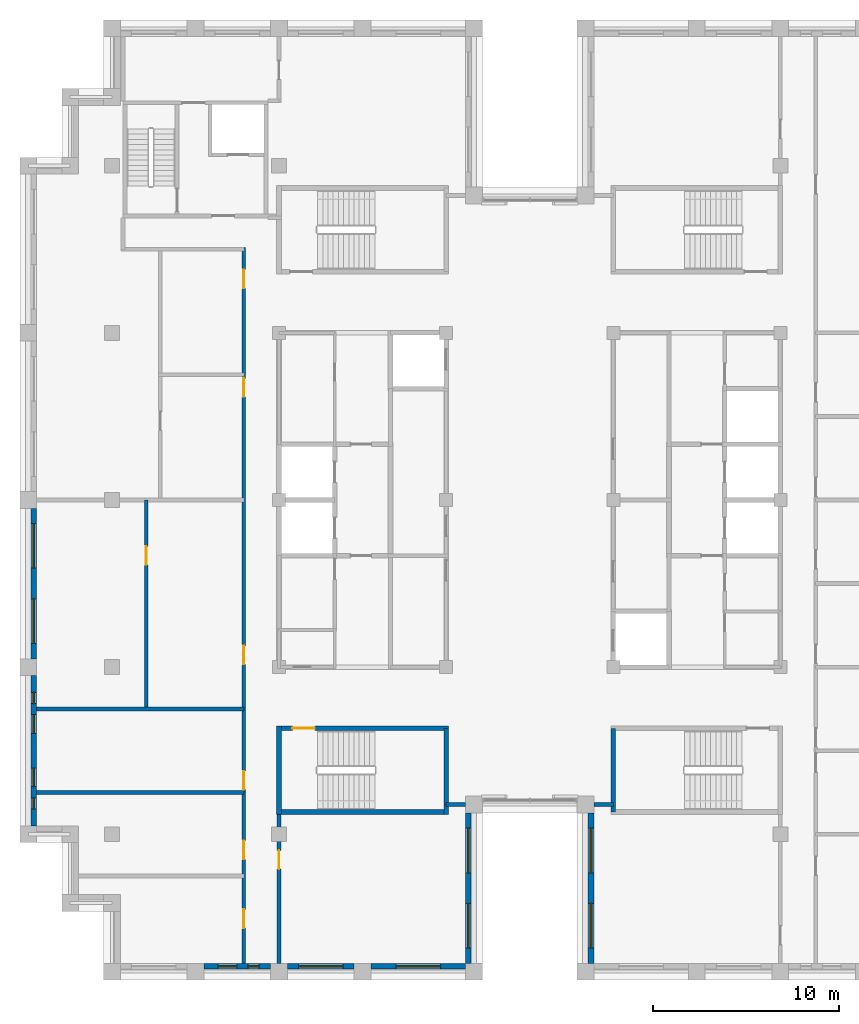
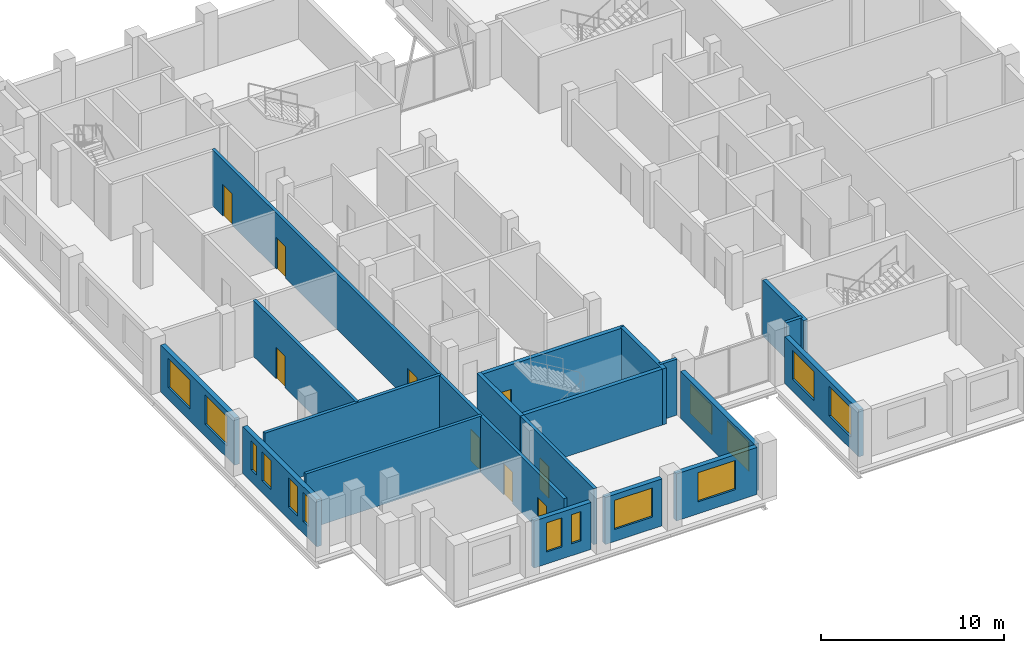
# One storey, part 6 of 13: 19 walls, 14 windows, 9 doors, 23 openings.
"""IFC4 building model written with IfcOpenShell, lengths in metres."""

from ifc_helpers import new_model, si_unit, direction, frame, frame_2d, origin, place, context, subcontext, project, spatial, rectangle, extrude, material, layer, layer_set, type_object, element, fill, save


model = new_model("IFC4")

# Units and contexts
model_context = context("Model", 3, precision=1e-05, world=origin(), true_north=direction((0.0, 1.0)))
body_context = subcontext(model_context, "Body", "Model", "MODEL_VIEW")
ifc_project = project(units=[si_unit("LENGTHUNIT", "METRE"), si_unit("AREAUNIT", "SQUARE_METRE"), si_unit("VOLUMEUNIT", "CUBIC_METRE"), si_unit("PLANEANGLEUNIT", "RADIAN"), si_unit("MASSUNIT", "GRAM", prefix="KILO")], contexts=[model_context])

# Site, building, storey
site_placement = place(None, origin())
site = spatial("IfcSite", under=ifc_project, at=site_placement, CompositionType="ELEMENT")
building_placement = place(site_placement, origin())
building = spatial("IfcBuilding", under=site, at=building_placement, Name="Corbelhall Arena Tower", CompositionType="ELEMENT")
storey_placement = place(building_placement, frame((0.0, 0.0, 342.0)))
storey = spatial("IfcBuildingStorey", under=building, at=storey_placement, Name="L75", CompositionType="ELEMENT", Elevation=342.0)

# Wall, openings, windows
ifc_material_1 = material(Name="Precast concrete C40/50 with granite facing", Category="masonry")
ifc_layer_1 = layer(ifc_material_1, 0.300048828125)
ifc_layer_set_1 = layer_set([ifc_layer_1], Name="EV-IW1 Infill panel 300")
wall_type_1 = type_object("IfcWallType", Name="EV-IW1 Infill panel 300", PredefinedType="SOLIDWALL", material=ifc_layer_set_1)
wall_1_placement = place(storey_placement, frame((-26.699951171875, -0.449951171875, 0.0), z_axis=(0.0, 0.0, 1.0), x_axis=(0.0, -1.0, 0.0)))
wall_1 = element("IfcWall", 1, at=wall_1_placement, inside=storey, type_object=wall_type_1, Name="Infill panel IW1", PredefinedType="SOLIDWALL", context=body_context, shape_type="SweptSolid", body=[
    extrude(rectangle(XDim=8.10009765625, YDim=0.300048828125, at=frame_2d((4.050048828125, 0.0))), origin(), (0.0, 0.0, 1.0), 3.139892578125),
])
opening_1_placement = place(wall_1_placement, frame((0.824951171875, 0.0, 0.800048828125)))
opening_1 = element("IfcOpeningElement", 2, at=opening_1_placement, cuts=wall_1, Name="Opening WN1", PredefinedType="OPENING", context=body_context, shape_type="SweptSolid", body=[
    extrude(rectangle(XDim=2.39990234375, YDim=1.949951171875, at=frame_2d((1.199951171875, 0.97509765625))), frame((0.0, 0.14990234375, 0.0), z_axis=(0.0, -1.0, 0.0), x_axis=(1.0, 0.0, 0.0)), (0.0, 0.0, 1.0), 0.300048828125),
])
opening_2_placement = place(wall_1_placement, frame((4.875, 0.0, 0.800048828125)))
opening_2 = element("IfcOpeningElement", 3, at=opening_2_placement, cuts=wall_1, Name="Opening WN1", PredefinedType="OPENING", context=body_context, shape_type="SweptSolid", body=[
    extrude(rectangle(XDim=2.39990234375, YDim=1.949951171875, at=frame_2d((1.199951171875, 0.97509765625))), frame((0.0, 0.14990234375, 0.0), z_axis=(0.0, -1.0, 0.0), x_axis=(1.0, 0.0, 0.0)), (0.0, 0.0, 1.0), 0.300048828125),
])
ifc_material_2 = material(Name="Aluminium black anodised", Category="aluminium")
window_type_1 = type_object("IfcWindowType", Name="EV-WN1 Office window", PartitioningType="SINGLE_PANEL", PredefinedType="WINDOW", material=ifc_material_2)
window_1_placement = place(opening_1_placement, origin())
window_1 = element("IfcWindow", 4, at=window_1_placement, inside=storey, type_object=window_type_1, Name="Window WN1", OverallHeight=1.949951171875, OverallWidth=2.39990234375, PartitioningType="SINGLE_PANEL", PredefinedType="WINDOW", context=body_context, shape_type="SweptSolid", body=[
    extrude(rectangle(XDim=2.39990234375, YDim=1.949951171875, at=frame_2d((1.199951171875, 0.97509765625))), frame((0.0, 0.030029296875, 0.0), z_axis=(0.0, -1.0, 0.0), x_axis=(1.0, 0.0, 0.0)), (0.0, 0.0, 1.0), 0.06005859375),
])
fill(opening_1, window_1)
window_2_placement = place(opening_2_placement, origin())
window_2 = element("IfcWindow", 5, at=window_2_placement, inside=storey, type_object=window_type_1, Name="Window WN1", OverallHeight=1.949951171875, OverallWidth=2.39990234375, PartitioningType="SINGLE_PANEL", PredefinedType="WINDOW", context=body_context, shape_type="SweptSolid", body=[
    extrude(rectangle(XDim=2.39990234375, YDim=1.949951171875, at=frame_2d((1.199951171875, 0.97509765625))), frame((0.0, 0.030029296875, 0.0), z_axis=(0.0, -1.0, 0.0), x_axis=(1.0, 0.0, 0.0)), (0.0, 0.0, 1.0), 0.06005859375),
])
fill(opening_2, window_2)

wall_2_placement = place(storey_placement, frame((-26.699951171875, -9.449951171875, 0.0), z_axis=(0.0, 0.0, 1.0), x_axis=(0.0, -1.0, 0.0)))
wall_2 = element("IfcWall", 6, at=wall_2_placement, inside=storey, type_object=wall_type_1, Name="Infill panel IW1", PredefinedType="SOLIDWALL", context=body_context, shape_type="SweptSolid", body=[
    extrude(rectangle(XDim=8.10009765625, YDim=0.300048828125, at=frame_2d((4.050048828125, 0.0))), origin(), (0.0, 0.0, 1.0), 3.139892578125),
])
opening_3_placement = place(wall_2_placement, frame((0.91259765625, 0.0, 0.800048828125)))
opening_3 = element("IfcOpeningElement", 7, at=opening_3_placement, cuts=wall_2, Name="Opening WN5", PredefinedType="OPENING", context=body_context, shape_type="SweptSolid", body=[
    extrude(rectangle(XDim=0.60009765625, YDim=1.949951171875, at=frame_2d((0.300048828125, 0.97509765625))), frame((0.0, 0.14990234375, 0.0), z_axis=(0.0, -1.0, 0.0), x_axis=(1.0, 0.0, 0.0)), (0.0, 0.0, 1.0), 0.300048828125),
])
opening_4_placement = place(wall_2_placement, frame((2.112548828125, 0.0, 0.800048828125)))
opening_4 = element("IfcOpeningElement", 8, at=opening_4_placement, cuts=wall_2, Name="Opening WN6", PredefinedType="OPENING", context=body_context, shape_type="SweptSolid", body=[
    extrude(rectangle(XDim=1.0, YDim=1.949951171875, at=frame_2d((0.5, 0.97509765625))), frame((0.0, 0.14990234375, 0.0), z_axis=(0.0, -1.0, 0.0), x_axis=(1.0, 0.0, 0.0)), (0.0, 0.0, 1.0), 0.300048828125),
])
opening_5_placement = place(wall_2_placement, frame((4.987548828125, 0.0, 0.800048828125)))
opening_5 = element("IfcOpeningElement", 9, at=opening_5_placement, cuts=wall_2, Name="Opening WN6", PredefinedType="OPENING", context=body_context, shape_type="SweptSolid", body=[
    extrude(rectangle(XDim=1.0, YDim=1.949951171875, at=frame_2d((0.5, 0.97509765625))), frame((0.0, 0.14990234375, 0.0), z_axis=(0.0, -1.0, 0.0), x_axis=(1.0, 0.0, 0.0)), (0.0, 0.0, 1.0), 0.300048828125),
])
opening_6_placement = place(wall_2_placement, frame((6.58740234375, 0.0, 0.800048828125)))
opening_6 = element("IfcOpeningElement", 10, at=opening_6_placement, cuts=wall_2, Name="Opening WN5", PredefinedType="OPENING", context=body_context, shape_type="SweptSolid", body=[
    extrude(rectangle(XDim=0.60009765625, YDim=1.949951171875, at=frame_2d((0.300048828125, 0.97509765625))), frame((0.0, 0.14990234375, 0.0), z_axis=(0.0, -1.0, 0.0), x_axis=(1.0, 0.0, 0.0)), (0.0, 0.0, 1.0), 0.300048828125),
])
window_type_2 = type_object("IfcWindowType", Name="EV-WN5 Office window 600", PartitioningType="SINGLE_PANEL", PredefinedType="WINDOW", material=ifc_material_2)
window_3_placement = place(opening_3_placement, origin())
window_3 = element("IfcWindow", 11, at=window_3_placement, inside=storey, type_object=window_type_2, Name="Window WN5", OverallHeight=1.949951171875, OverallWidth=0.60009765625, PartitioningType="SINGLE_PANEL", PredefinedType="WINDOW", context=body_context, shape_type="SweptSolid", body=[
    extrude(rectangle(XDim=0.60009765625, YDim=1.949951171875, at=frame_2d((0.300048828125, 0.97509765625))), frame((0.0, 0.030029296875, 0.0), z_axis=(0.0, -1.0, 0.0), x_axis=(1.0, 0.0, 0.0)), (0.0, 0.0, 1.0), 0.06005859375),
])
fill(opening_3, window_3)
window_4_placement = place(opening_6_placement, origin())
window_4 = element("IfcWindow", 12, at=window_4_placement, inside=storey, type_object=window_type_2, Name="Window WN5", OverallHeight=1.949951171875, OverallWidth=0.60009765625, PartitioningType="SINGLE_PANEL", PredefinedType="WINDOW", context=body_context, shape_type="SweptSolid", body=[
    extrude(rectangle(XDim=0.60009765625, YDim=1.949951171875, at=frame_2d((0.300048828125, 0.97509765625))), frame((0.0, 0.030029296875, 0.0), z_axis=(0.0, -1.0, 0.0), x_axis=(1.0, 0.0, 0.0)), (0.0, 0.0, 1.0), 0.06005859375),
])
fill(opening_6, window_4)
window_type_3 = type_object("IfcWindowType", Name="EV-WN6 Office window 1000", PartitioningType="SINGLE_PANEL", PredefinedType="WINDOW", material=ifc_material_2)
window_5_placement = place(opening_4_placement, origin())
window_5 = element("IfcWindow", 13, at=window_5_placement, inside=storey, type_object=window_type_3, Name="Window WN6", OverallHeight=1.949951171875, OverallWidth=1.0, PartitioningType="SINGLE_PANEL", PredefinedType="WINDOW", context=body_context, shape_type="SweptSolid", body=[
    extrude(rectangle(XDim=1.0, YDim=1.949951171875, at=frame_2d((0.5, 0.97509765625))), frame((0.0, 0.030029296875, 0.0), z_axis=(0.0, -1.0, 0.0), x_axis=(1.0, 0.0, 0.0)), (0.0, 0.0, 1.0), 0.06005859375),
])
fill(opening_4, window_5)
window_6_placement = place(opening_5_placement, origin())
window_6 = element("IfcWindow", 14, at=window_6_placement, inside=storey, type_object=window_type_3, Name="Window WN6", OverallHeight=1.949951171875, OverallWidth=1.0, PartitioningType="SINGLE_PANEL", PredefinedType="WINDOW", context=body_context, shape_type="SweptSolid", body=[
    extrude(rectangle(XDim=1.0, YDim=1.949951171875, at=frame_2d((0.5, 0.97509765625))), frame((0.0, 0.030029296875, 0.0), z_axis=(0.0, -1.0, 0.0), x_axis=(1.0, 0.0, 0.0)), (0.0, 0.0, 1.0), 0.06005859375),
])
fill(opening_5, window_6)

wall_3_placement = place(storey_placement, frame((-17.550048828125, -25.10009765625, 0.0), z_axis=(0.0, 0.0, 1.0), x_axis=(1.0, 0.0, 0.0)))
wall_3 = element("IfcWall", 15, at=wall_3_placement, inside=storey, type_object=wall_type_1, Name="Infill panel IW1", PredefinedType="SOLIDWALL", context=body_context, shape_type="SweptSolid", body=[
    extrude(rectangle(XDim=3.60009765625, YDim=0.300048828125, at=frame_2d((1.800048828125, 0.0))), origin(), (0.0, 0.0, 1.0), 3.139892578125),
])
opening_7_placement = place(wall_3_placement, frame((0.77490234375, 0.0, 0.800048828125)))
opening_7 = element("IfcOpeningElement", 16, at=opening_7_placement, cuts=wall_3, Name="Opening WN6", PredefinedType="OPENING", context=body_context, shape_type="SweptSolid", body=[
    extrude(rectangle(XDim=1.0, YDim=1.949951171875, at=frame_2d((0.5, 0.97509765625))), frame((0.0, 0.14990234375, 0.0), z_axis=(0.0, -1.0, 0.0), x_axis=(1.0, 0.0, 0.0)), (0.0, 0.0, 1.0), 0.300048828125),
])
opening_8_placement = place(wall_3_placement, frame((2.375, 0.0, 0.800048828125)))
opening_8 = element("IfcOpeningElement", 17, at=opening_8_placement, cuts=wall_3, Name="Opening WN5", PredefinedType="OPENING", context=body_context, shape_type="SweptSolid", body=[
    extrude(rectangle(XDim=0.60009765625, YDim=1.949951171875, at=frame_2d((0.300048828125, 0.97509765625))), frame((0.0, 0.14990234375, 0.0), z_axis=(0.0, -1.0, 0.0), x_axis=(1.0, 0.0, 0.0)), (0.0, 0.0, 1.0), 0.300048828125),
])
window_7_placement = place(opening_8_placement, origin())
window_7 = element("IfcWindow", 18, at=window_7_placement, inside=storey, type_object=window_type_2, Name="Window WN5", OverallHeight=1.949951171875, OverallWidth=0.60009765625, PartitioningType="SINGLE_PANEL", PredefinedType="WINDOW", context=body_context, shape_type="SweptSolid", body=[
    extrude(rectangle(XDim=0.60009765625, YDim=1.949951171875, at=frame_2d((0.300048828125, 0.97509765625))), frame((0.0, 0.030029296875, 0.0), z_axis=(0.0, -1.0, 0.0), x_axis=(1.0, 0.0, 0.0)), (0.0, 0.0, 1.0), 0.06005859375),
])
fill(opening_8, window_7)
window_8_placement = place(opening_7_placement, origin())
window_8 = element("IfcWindow", 19, at=window_8_placement, inside=storey, type_object=window_type_3, Name="Window WN6", OverallHeight=1.949951171875, OverallWidth=1.0, PartitioningType="SINGLE_PANEL", PredefinedType="WINDOW", context=body_context, shape_type="SweptSolid", body=[
    extrude(rectangle(XDim=1.0, YDim=1.949951171875, at=frame_2d((0.5, 0.97509765625))), frame((0.0, 0.030029296875, 0.0), z_axis=(0.0, -1.0, 0.0), x_axis=(1.0, 0.0, 0.0)), (0.0, 0.0, 1.0), 0.06005859375),
])
fill(opening_7, window_8)

# Wall, opening, window
wall_4_placement = place(storey_placement, frame((-13.050048828125, -25.10009765625, 0.0), z_axis=(0.0, 0.0, 1.0), x_axis=(1.0, 0.0, 0.0)))
wall_4 = element("IfcWall", 20, at=wall_4_placement, inside=storey, type_object=wall_type_1, Name="Infill panel IW1", PredefinedType="SOLIDWALL", context=body_context, shape_type="SweptSolid", body=[
    extrude(rectangle(XDim=3.60009765625, YDim=0.300048828125, at=frame_2d((1.800048828125, 0.0))), origin(), (0.0, 0.0, 1.0), 3.139892578125),
])
opening_9_placement = place(wall_4_placement, frame((0.60009765625, 0.0, 0.800048828125)))
opening_9 = element("IfcOpeningElement", 21, at=opening_9_placement, cuts=wall_4, Name="Opening WN1", PredefinedType="OPENING", context=body_context, shape_type="SweptSolid", body=[
    extrude(rectangle(XDim=2.39990234375, YDim=1.949951171875, at=frame_2d((1.199951171875, 0.97509765625))), frame((0.0, 0.14990234375, 0.0), z_axis=(0.0, -1.0, 0.0), x_axis=(1.0, 0.0, 0.0)), (0.0, 0.0, 1.0), 0.300048828125),
])
window_9_placement = place(opening_9_placement, origin())
window_9 = element("IfcWindow", 22, at=window_9_placement, inside=storey, type_object=window_type_1, Name="Window WN1", OverallHeight=1.949951171875, OverallWidth=2.39990234375, PartitioningType="SINGLE_PANEL", PredefinedType="WINDOW", context=body_context, shape_type="SweptSolid", body=[
    extrude(rectangle(XDim=2.39990234375, YDim=1.949951171875, at=frame_2d((1.199951171875, 0.97509765625))), frame((0.0, 0.030029296875, 0.0), z_axis=(0.0, -1.0, 0.0), x_axis=(1.0, 0.0, 0.0)), (0.0, 0.0, 1.0), 0.06005859375),
])
fill(opening_9, window_9)

wall_5_placement = place(storey_placement, frame((-8.550048828125, -25.10009765625, 0.0), z_axis=(0.0, 0.0, 1.0), x_axis=(1.0, 0.0, 0.0)))
wall_5 = element("IfcWall", 23, at=wall_5_placement, inside=storey, type_object=wall_type_1, Name="Infill panel IW1", PredefinedType="SOLIDWALL", context=body_context, shape_type="SweptSolid", body=[
    extrude(rectangle(XDim=5.10009765625, YDim=0.300048828125, at=frame_2d((2.550048828125, 0.0))), origin(), (0.0, 0.0, 1.0), 3.139892578125),
])
opening_10_placement = place(wall_5_placement, frame((1.35009765625, 0.0, 0.800048828125)))
opening_10 = element("IfcOpeningElement", 24, at=opening_10_placement, cuts=wall_5, Name="Opening WN1", PredefinedType="OPENING", context=body_context, shape_type="SweptSolid", body=[
    extrude(rectangle(XDim=2.39990234375, YDim=1.949951171875, at=frame_2d((1.199951171875, 0.97509765625))), frame((0.0, 0.14990234375, 0.0), z_axis=(0.0, -1.0, 0.0), x_axis=(1.0, 0.0, 0.0)), (0.0, 0.0, 1.0), 0.300048828125),
])
window_10_placement = place(opening_10_placement, origin())
window_10 = element("IfcWindow", 25, at=window_10_placement, inside=storey, type_object=window_type_1, Name="Window WN1", OverallHeight=1.949951171875, OverallWidth=2.39990234375, PartitioningType="SINGLE_PANEL", PredefinedType="WINDOW", context=body_context, shape_type="SweptSolid", body=[
    extrude(rectangle(XDim=2.39990234375, YDim=1.949951171875, at=frame_2d((1.199951171875, 0.97509765625))), frame((0.0, 0.030029296875, 0.0), z_axis=(0.0, -1.0, 0.0), x_axis=(1.0, 0.0, 0.0)), (0.0, 0.0, 1.0), 0.06005859375),
])
fill(opening_10, window_10)

# Wall, openings, windows
wall_6_placement = place(storey_placement, frame((-3.300048828125, -24.949951171875, 0.0), z_axis=(0.0, 0.0, 1.0), x_axis=(0.0, 1.0, 0.0)))
wall_6 = element("IfcWall", 26, at=wall_6_placement, inside=storey, type_object=wall_type_1, Name="Infill panel IW1", PredefinedType="SOLIDWALL", context=body_context, shape_type="SweptSolid", body=[
    extrude(rectangle(XDim=8.099853515625, YDim=0.300048828125, at=frame_2d((4.0498046875, 0.0))), origin(), (0.0, 0.0, 1.0), 3.139892578125),
])
opening_11_placement = place(wall_6_placement, frame((0.824951171875, 0.0, 0.800048828125)))
opening_11 = element("IfcOpeningElement", 27, at=opening_11_placement, cuts=wall_6, Name="Opening WN1", PredefinedType="OPENING", context=body_context, shape_type="SweptSolid", body=[
    extrude(rectangle(XDim=2.39990234375, YDim=1.949951171875, at=frame_2d((1.199951171875, 0.97509765625))), frame((0.0, 0.14990234375, 0.0), z_axis=(0.0, -1.0, 0.0), x_axis=(1.0, 0.0, 0.0)), (0.0, 0.0, 1.0), 0.300048828125),
])
opening_12_placement = place(wall_6_placement, frame((4.875, 0.0, 0.800048828125)))
opening_12 = element("IfcOpeningElement", 28, at=opening_12_placement, cuts=wall_6, Name="Opening WN1", PredefinedType="OPENING", context=body_context, shape_type="SweptSolid", body=[
    extrude(rectangle(XDim=2.39990234375, YDim=1.949951171875, at=frame_2d((1.199951171875, 0.97509765625))), frame((0.0, 0.14990234375, 0.0), z_axis=(0.0, -1.0, 0.0), x_axis=(1.0, 0.0, 0.0)), (0.0, 0.0, 1.0), 0.300048828125),
])
window_11_placement = place(opening_11_placement, origin())
window_11 = element("IfcWindow", 29, at=window_11_placement, inside=storey, type_object=window_type_1, Name="Window WN1", OverallHeight=1.949951171875, OverallWidth=2.39990234375, PartitioningType="SINGLE_PANEL", PredefinedType="WINDOW", context=body_context, shape_type="SweptSolid", body=[
    extrude(rectangle(XDim=2.39990234375, YDim=1.949951171875, at=frame_2d((1.199951171875, 0.97509765625))), frame((0.0, 0.030029296875, 0.0), z_axis=(0.0, -1.0, 0.0), x_axis=(1.0, 0.0, 0.0)), (0.0, 0.0, 1.0), 0.06005859375),
])
fill(opening_11, window_11)
window_12_placement = place(opening_12_placement, origin())
window_12 = element("IfcWindow", 30, at=window_12_placement, inside=storey, type_object=window_type_1, Name="Window WN1", OverallHeight=1.949951171875, OverallWidth=2.39990234375, PartitioningType="SINGLE_PANEL", PredefinedType="WINDOW", context=body_context, shape_type="SweptSolid", body=[
    extrude(rectangle(XDim=2.39990234375, YDim=1.949951171875, at=frame_2d((1.199951171875, 0.97509765625))), frame((0.0, 0.030029296875, 0.0), z_axis=(0.0, -1.0, 0.0), x_axis=(1.0, 0.0, 0.0)), (0.0, 0.0, 1.0), 0.06005859375),
])
fill(opening_12, window_12)

wall_7_placement = place(storey_placement, frame((3.300048828125, -16.85009765625, 0.0), z_axis=(0.0, 0.0, 1.0), x_axis=(0.0, -1.0, 0.0)))
wall_7 = element("IfcWall", 31, at=wall_7_placement, inside=storey, type_object=wall_type_1, Name="Infill panel IW1", PredefinedType="SOLIDWALL", context=body_context, shape_type="SweptSolid", body=[
    extrude(rectangle(XDim=8.099853515625, YDim=0.300048828125, at=frame_2d((4.0498046875, 0.0))), origin(), (0.0, 0.0, 1.0), 3.139892578125),
])
opening_13_placement = place(wall_7_placement, frame((0.824951171875, 0.0, 0.800048828125)))
opening_13 = element("IfcOpeningElement", 32, at=opening_13_placement, cuts=wall_7, Name="Opening WN1", PredefinedType="OPENING", context=body_context, shape_type="SweptSolid", body=[
    extrude(rectangle(XDim=2.39990234375, YDim=1.949951171875, at=frame_2d((1.199951171875, 0.97509765625))), frame((0.0, 0.14990234375, 0.0), z_axis=(0.0, -1.0, 0.0), x_axis=(1.0, 0.0, 0.0)), (0.0, 0.0, 1.0), 0.300048828125),
])
opening_14_placement = place(wall_7_placement, frame((4.875, 0.0, 0.800048828125)))
opening_14 = element("IfcOpeningElement", 33, at=opening_14_placement, cuts=wall_7, Name="Opening WN1", PredefinedType="OPENING", context=body_context, shape_type="SweptSolid", body=[
    extrude(rectangle(XDim=2.39990234375, YDim=1.949951171875, at=frame_2d((1.199951171875, 0.97509765625))), frame((0.0, 0.14990234375, 0.0), z_axis=(0.0, -1.0, 0.0), x_axis=(1.0, 0.0, 0.0)), (0.0, 0.0, 1.0), 0.300048828125),
])
window_13_placement = place(opening_13_placement, origin())
window_13 = element("IfcWindow", 34, at=window_13_placement, inside=storey, type_object=window_type_1, Name="Window WN1", OverallHeight=1.949951171875, OverallWidth=2.39990234375, PartitioningType="SINGLE_PANEL", PredefinedType="WINDOW", context=body_context, shape_type="SweptSolid", body=[
    extrude(rectangle(XDim=2.39990234375, YDim=1.949951171875, at=frame_2d((1.199951171875, 0.97509765625))), frame((0.0, 0.030029296875, 0.0), z_axis=(0.0, -1.0, 0.0), x_axis=(1.0, 0.0, 0.0)), (0.0, 0.0, 1.0), 0.06005859375),
])
fill(opening_13, window_13)
window_14_placement = place(opening_14_placement, origin())
window_14 = element("IfcWindow", 35, at=window_14_placement, inside=storey, type_object=window_type_1, Name="Window WN1", OverallHeight=1.949951171875, OverallWidth=2.39990234375, PartitioningType="SINGLE_PANEL", PredefinedType="WINDOW", context=body_context, shape_type="SweptSolid", body=[
    extrude(rectangle(XDim=2.39990234375, YDim=1.949951171875, at=frame_2d((1.199951171875, 0.97509765625))), frame((0.0, 0.030029296875, 0.0), z_axis=(0.0, -1.0, 0.0), x_axis=(1.0, 0.0, 0.0)), (0.0, 0.0, 1.0), 0.06005859375),
])
fill(opening_14, window_14)

# Walls
ifc_material_3 = material(Name="Gypsum board on steel stud, acoustic", Category="steel")
ifc_layer_2 = layer(ifc_material_3, 0.199951171875)
ifc_layer_set_2 = layer_set([ifc_layer_2], Name="IN-W-DM200")
wall_type_2 = type_object("IfcWallType", Name="IN-W-DM200", PredefinedType="PARTITIONING", material=ifc_layer_set_2)
for number, where, z_axis, x_axis, name in (
    (36, (-26.550048828125, -15.75, 0.0), (0.0, 0.0, 1.0), (1.0, 0.0, 0.0), "Partition 001"),
    (37, (-26.550048828125, -11.25, 0.0), (0.0, 0.0, 1.0), (1.0, 0.0, 0.0), "Partition 002"),
):
    element("IfcWall", number, at=place(storey_placement, frame(where, z_axis=z_axis, x_axis=x_axis)), inside=storey, type_object=wall_type_2, Name=name, PredefinedType="PARTITIONING", context=body_context, shape_type="SweptSolid", body=[
        extrude(rectangle(XDim=11.150146484375, YDim=0.199951171875, at=frame_2d((5.5751953125, 0.0))), origin(), (0.0, 0.0, 1.0), 3.739990234375),
    ])

# Wall, opening, door
wall_8_placement = place(storey_placement, frame((-20.64990234375, -11.25, 0.0), z_axis=(0.0, 0.0, 1.0), x_axis=(0.0, 1.0, 0.0)))
wall_8 = element("IfcWall", 38, at=wall_8_placement, inside=storey, type_object=wall_type_2, Name="Partition 006", PredefinedType="PARTITIONING", context=body_context, shape_type="SweptSolid", body=[
    extrude(rectangle(XDim=11.25, YDim=0.199951171875, at=frame_2d((5.625, 0.0))), origin(), (0.0, 0.0, 1.0), 3.739990234375),
])
opening_15_placement = place(wall_8_placement, frame((7.75, 0.0, 0.0)))
opening_15 = element("IfcOpeningElement", 39, at=opening_15_placement, cuts=wall_8, Name="Opening 24029", PredefinedType="OPENING", context=body_context, shape_type="SweptSolid", body=[
    extrude(rectangle(XDim=1.0, YDim=2.10009765625, at=frame_2d((0.5, 1.050048828125))), frame((0.0, 0.10009765625, 0.0), z_axis=(0.0, -1.0, 0.0), x_axis=(1.0, 0.0, 0.0)), (0.0, 0.0, 1.0), 0.199951171875),
])
ifc_material_4 = material(Name="Steel door set", Category="steel")
door_type_1 = type_object("IfcDoorType", Name="IN-D-SW100", OperationType="NOTDEFINED", PredefinedType="DOOR", material=ifc_material_4)
door_1_placement = place(opening_15_placement, origin())
door_1 = element("IfcDoor", 40, at=door_1_placement, inside=storey, type_object=door_type_1, Name="Door 029", OperationType="SINGLE_SWING_RIGHT", OverallHeight=2.10009765625, OverallWidth=1.0, PredefinedType="DOOR", context=body_context, shape_type="SweptSolid", body=[
    extrude(rectangle(XDim=1.0, YDim=2.10009765625, at=frame_2d((0.5, 1.050048828125))), frame((0.0, 0.02490234375, 0.0), z_axis=(0.0, -1.0, 0.0), x_axis=(1.0, 0.0, 0.0)), (0.0, 0.0, 1.0), 0.050048828125),
])
fill(opening_15, door_1)

# Wall, openings, doors
wall_9_placement = place(storey_placement, frame((-15.39990234375, -24.949951171875, 0.0), z_axis=(0.0, 0.0, 1.0), x_axis=(0.0, 1.0, 0.0)))
wall_9 = element("IfcWall", 41, at=wall_9_placement, inside=storey, type_object=wall_type_2, Name="Partition 011", PredefinedType="PARTITIONING", context=body_context, shape_type="SweptSolid", body=[
    extrude(rectangle(XDim=38.550048828125, YDim=0.199951171875, at=frame_2d((19.27490234375, 0.0))), origin(), (0.0, 0.0, 1.0), 3.739990234375),
])
opening_16_placement = place(wall_9_placement, frame((30.5, 0.0, 0.0)))
opening_16 = element("IfcOpeningElement", 42, at=opening_16_placement, cuts=wall_9, Name="Opening 24022", PredefinedType="OPENING", context=body_context, shape_type="SweptSolid", body=[
    extrude(rectangle(XDim=1.0, YDim=2.10009765625, at=frame_2d((0.5, 1.050048828125))), frame((0.0, 0.10009765625, 0.0), z_axis=(0.0, -1.0, 0.0), x_axis=(1.0, 0.0, 0.0)), (0.0, 0.0, 1.0), 0.199951171875),
])
opening_17_placement = place(wall_9_placement, frame((36.35009765625, 0.0, 0.0)))
opening_17 = element("IfcOpeningElement", 43, at=opening_17_placement, cuts=wall_9, Name="Opening 24023", PredefinedType="OPENING", context=body_context, shape_type="SweptSolid", body=[
    extrude(rectangle(XDim=1.0, YDim=2.10009765625, at=frame_2d((0.5, 1.050048828125))), frame((0.0, 0.10009765625, 0.0), z_axis=(0.0, -1.0, 0.0), x_axis=(1.0, 0.0, 0.0)), (0.0, 0.0, 1.0), 0.199951171875),
])
opening_18_placement = place(wall_9_placement, frame((1.89990234375, 0.0, 0.0)))
opening_18 = element("IfcOpeningElement", 44, at=opening_18_placement, cuts=wall_9, Name="Opening 24025", PredefinedType="OPENING", context=body_context, shape_type="SweptSolid", body=[
    extrude(rectangle(XDim=1.0, YDim=2.10009765625, at=frame_2d((0.5, 1.050048828125))), frame((0.0, 0.10009765625, 0.0), z_axis=(0.0, -1.0, 0.0), x_axis=(1.0, 0.0, 0.0)), (0.0, 0.0, 1.0), 0.199951171875),
])
opening_19_placement = place(wall_9_placement, frame((5.60009765625, 0.0, 0.0)))
opening_19 = element("IfcOpeningElement", 45, at=opening_19_placement, cuts=wall_9, Name="Opening 24026", PredefinedType="OPENING", context=body_context, shape_type="SweptSolid", body=[
    extrude(rectangle(XDim=1.0, YDim=2.10009765625, at=frame_2d((0.5, 1.050048828125))), frame((0.0, 0.10009765625, 0.0), z_axis=(0.0, -1.0, 0.0), x_axis=(1.0, 0.0, 0.0)), (0.0, 0.0, 1.0), 0.199951171875),
])
opening_20_placement = place(wall_9_placement, frame((9.35009765625, 0.0, 0.0)))
opening_20 = element("IfcOpeningElement", 46, at=opening_20_placement, cuts=wall_9, Name="Opening 24027", PredefinedType="OPENING", context=body_context, shape_type="SweptSolid", body=[
    extrude(rectangle(XDim=1.0, YDim=2.10009765625, at=frame_2d((0.5, 1.050048828125))), frame((0.0, 0.10009765625, 0.0), z_axis=(0.0, -1.0, 0.0), x_axis=(1.0, 0.0, 0.0)), (0.0, 0.0, 1.0), 0.199951171875),
])
opening_21_placement = place(wall_9_placement, frame((16.10009765625, 0.0, 0.0)))
opening_21 = element("IfcOpeningElement", 47, at=opening_21_placement, cuts=wall_9, Name="Opening 24028", PredefinedType="OPENING", context=body_context, shape_type="SweptSolid", body=[
    extrude(rectangle(XDim=1.0, YDim=2.10009765625, at=frame_2d((0.5, 1.050048828125))), frame((0.0, 0.10009765625, 0.0), z_axis=(0.0, -1.0, 0.0), x_axis=(1.0, 0.0, 0.0)), (0.0, 0.0, 1.0), 0.199951171875),
])
door_2_placement = place(opening_16_placement, origin())
door_2 = element("IfcDoor", 48, at=door_2_placement, inside=storey, type_object=door_type_1, Name="Door 022", OperationType="SINGLE_SWING_LEFT", OverallHeight=2.10009765625, OverallWidth=1.0, PredefinedType="DOOR", context=body_context, shape_type="SweptSolid", body=[
    extrude(rectangle(XDim=1.0, YDim=2.10009765625, at=frame_2d((0.5, 1.050048828125))), frame((0.0, 0.02490234375, 0.0), z_axis=(0.0, -1.0, 0.0), x_axis=(1.0, 0.0, 0.0)), (0.0, 0.0, 1.0), 0.050048828125),
])
fill(opening_16, door_2)
door_3_placement = place(opening_17_placement, origin())
door_3 = element("IfcDoor", 49, at=door_3_placement, inside=storey, type_object=door_type_1, Name="Door 023", OperationType="SINGLE_SWING_RIGHT", OverallHeight=2.10009765625, OverallWidth=1.0, PredefinedType="DOOR", context=body_context, shape_type="SweptSolid", body=[
    extrude(rectangle(XDim=1.0, YDim=2.10009765625, at=frame_2d((0.5, 1.050048828125))), frame((0.0, 0.02490234375, 0.0), z_axis=(0.0, -1.0, 0.0), x_axis=(1.0, 0.0, 0.0)), (0.0, 0.0, 1.0), 0.050048828125),
])
fill(opening_17, door_3)
door_4_placement = place(opening_18_placement, origin())
door_4 = element("IfcDoor", 50, at=door_4_placement, inside=storey, type_object=door_type_1, Name="Door 025", OperationType="SINGLE_SWING_RIGHT", OverallHeight=2.10009765625, OverallWidth=1.0, PredefinedType="DOOR", context=body_context, shape_type="SweptSolid", body=[
    extrude(rectangle(XDim=1.0, YDim=2.10009765625, at=frame_2d((0.5, 1.050048828125))), frame((0.0, 0.02490234375, 0.0), z_axis=(0.0, -1.0, 0.0), x_axis=(1.0, 0.0, 0.0)), (0.0, 0.0, 1.0), 0.050048828125),
])
fill(opening_18, door_4)
door_5_placement = place(opening_19_placement, origin())
door_5 = element("IfcDoor", 51, at=door_5_placement, inside=storey, type_object=door_type_1, Name="Door 026", OperationType="SINGLE_SWING_LEFT", OverallHeight=2.10009765625, OverallWidth=1.0, PredefinedType="DOOR", context=body_context, shape_type="SweptSolid", body=[
    extrude(rectangle(XDim=1.0, YDim=2.10009765625, at=frame_2d((0.5, 1.050048828125))), frame((0.0, 0.02490234375, 0.0), z_axis=(0.0, -1.0, 0.0), x_axis=(1.0, 0.0, 0.0)), (0.0, 0.0, 1.0), 0.050048828125),
])
fill(opening_19, door_5)
door_6_placement = place(opening_20_placement, origin())
door_6 = element("IfcDoor", 52, at=door_6_placement, inside=storey, type_object=door_type_1, Name="Door 027", OperationType="SINGLE_SWING_RIGHT", OverallHeight=2.10009765625, OverallWidth=1.0, PredefinedType="DOOR", context=body_context, shape_type="SweptSolid", body=[
    extrude(rectangle(XDim=1.0, YDim=2.10009765625, at=frame_2d((0.5, 1.050048828125))), frame((0.0, 0.02490234375, 0.0), z_axis=(0.0, -1.0, 0.0), x_axis=(1.0, 0.0, 0.0)), (0.0, 0.0, 1.0), 0.050048828125),
])
fill(opening_20, door_6)
door_7_placement = place(opening_21_placement, origin())
door_7 = element("IfcDoor", 53, at=door_7_placement, inside=storey, type_object=door_type_1, Name="Door 028", OperationType="SINGLE_SWING_LEFT", OverallHeight=2.10009765625, OverallWidth=1.0, PredefinedType="DOOR", context=body_context, shape_type="SweptSolid", body=[
    extrude(rectangle(XDim=1.0, YDim=2.10009765625, at=frame_2d((0.5, 1.050048828125))), frame((0.0, 0.02490234375, 0.0), z_axis=(0.0, -1.0, 0.0), x_axis=(1.0, 0.0, 0.0)), (0.0, 0.0, 1.0), 0.050048828125),
])
fill(opening_21, door_7)

# Wall, opening, door
wall_10_placement = place(storey_placement, frame((-13.5, -16.675048828125, 0.0), z_axis=(0.0, 0.0, 1.0), x_axis=(0.0, -1.0, 0.0)))
wall_10 = element("IfcWall", 54, at=wall_10_placement, inside=storey, type_object=wall_type_2, Name="Partition 013", PredefinedType="PARTITIONING", context=body_context, shape_type="SweptSolid", body=[
    extrude(rectangle(XDim=8.27490234375, YDim=0.199951171875, at=frame_2d((4.137451171875, 0.0))), origin(), (0.0, 0.0, 1.0), 3.739990234375),
])
opening_22_placement = place(wall_10_placement, frame((2.199951171875, 0.0, 0.0)))
opening_22 = element("IfcOpeningElement", 55, at=opening_22_placement, cuts=wall_10, Name="Opening 24020", PredefinedType="OPENING", context=body_context, shape_type="SweptSolid", body=[
    extrude(rectangle(XDim=1.0, YDim=2.10009765625, at=frame_2d((0.5, 1.050048828125))), frame((0.0, 0.10009765625, 0.0), z_axis=(0.0, -1.0, 0.0), x_axis=(1.0, 0.0, 0.0)), (0.0, 0.0, 1.0), 0.199951171875),
])
door_8_placement = place(opening_22_placement, origin())
door_8 = element("IfcDoor", 56, at=door_8_placement, inside=storey, type_object=door_type_1, Name="Door 020", OperationType="SINGLE_SWING_LEFT", OverallHeight=2.10009765625, OverallWidth=1.0, PredefinedType="DOOR", context=body_context, shape_type="SweptSolid", body=[
    extrude(rectangle(XDim=1.0, YDim=2.10009765625, at=frame_2d((0.5, 1.050048828125))), frame((0.0, 0.02490234375, 0.0), z_axis=(0.0, -1.0, 0.0), x_axis=(1.0, 0.0, 0.0)), (0.0, 0.0, 1.0), 0.050048828125),
])
fill(opening_22, door_8)

# Walls
for number, where, z_axis, x_axis, name in (
    (57, (-3.449951171875, -16.39990234375, 0.0), (0.0, 0.0, 1.0), (-1.0, 0.0, 0.0), "Partition 017"),
    (58, (4.5, -16.39990234375, 0.0), (0.0, 0.0, 1.0), (-1.0, 0.0, 0.0), "Partition 019"),
):
    element("IfcWall", number, at=place(storey_placement, frame(where, z_axis=z_axis, x_axis=x_axis)), inside=storey, type_object=wall_type_2, Name=name, PredefinedType="PARTITIONING", context=body_context, shape_type="SweptSolid", body=[
        extrude(rectangle(XDim=1.050048828125, YDim=0.199951171875, at=frame_2d((0.52490234375, 0.0))), origin(), (0.0, 0.0, 1.0), 3.739990234375),
    ])
ifc_material_5 = material(Name="Concrete C40/50", Category="concrete")
ifc_layer_3 = layer(ifc_material_5, 0.25)
ifc_layer_set_3 = layer_set([ifc_layer_3], Name="IN-W-ST250")
wall_type_3 = type_object("IfcWallType", Name="IN-W-ST250", PredefinedType="SOLIDWALL", material=ifc_layer_set_3)
wall_11_placement = place(storey_placement, frame((-13.5, -12.175048828125, 0.0), z_axis=(0.0, 0.0, 1.0), x_axis=(0.0, -1.0, 0.0)))
element("IfcWall", 59, at=wall_11_placement, inside=storey, type_object=wall_type_3, Name="Shaft wall 069", PredefinedType="SOLIDWALL", context=body_context, shape_type="SweptSolid", body=[
    extrude(rectangle(XDim=4.75, YDim=0.25, at=frame_2d((2.375, 0.0))), origin(), (0.0, 0.0, 1.0), 3.739990234375),
])
wall_12_placement = place(storey_placement, frame((-4.5, -16.800048828125, 0.0), z_axis=(0.0, 0.0, 1.0), x_axis=(-1.0, 0.0, 0.0)))
element("IfcWall", 60, at=wall_12_placement, inside=storey, type_object=wall_type_3, Name="Shaft wall 073", PredefinedType="SOLIDWALL", context=body_context, shape_type="SweptSolid", body=[
    extrude(rectangle(XDim=9.0, YDim=0.25, at=frame_2d((4.5, 0.0))), origin(), (0.0, 0.0, 1.0), 3.739990234375),
])
wall_13_placement = place(storey_placement, frame((-4.5, -12.300048828125, 0.0), z_axis=(0.0, 0.0, 1.0), x_axis=(0.0, -1.0, 0.0)))
element("IfcWall", 61, at=wall_13_placement, inside=storey, type_object=wall_type_3, Name="Shaft wall 074", PredefinedType="SOLIDWALL", context=body_context, shape_type="SweptSolid", body=[
    extrude(rectangle(XDim=4.625, YDim=0.25, at=frame_2d((2.3125, 0.0))), origin(), (0.0, 0.0, 1.0), 3.739990234375),
])

# Wall, opening, door
wall_14_placement = place(storey_placement, frame((-4.375, -12.300048828125, 0.0), z_axis=(0.0, 0.0, 1.0), x_axis=(-1.0, 0.0, 0.0)))
wall_14 = element("IfcWall", 62, at=wall_14_placement, inside=storey, type_object=wall_type_3, Name="Shaft wall 076", PredefinedType="SOLIDWALL", context=body_context, shape_type="SweptSolid", body=[
    extrude(rectangle(XDim=9.125, YDim=0.25, at=frame_2d((4.5625, 0.0))), origin(), (0.0, 0.0, 1.0), 3.739990234375),
])
opening_23_placement = place(wall_14_placement, frame((7.199951171875, 0.0, 0.0)))
opening_23 = element("IfcOpeningElement", 63, at=opening_23_placement, cuts=wall_14, Name="Opening 24015", PredefinedType="OPENING", context=body_context, shape_type="SweptSolid", body=[
    extrude(rectangle(XDim=1.199951171875, YDim=2.10009765625, at=frame_2d((0.60009765625, 1.050048828125))), frame((0.0, 0.125, 0.0), z_axis=(0.0, -1.0, 0.0), x_axis=(1.0, 0.0, 0.0)), (0.0, 0.0, 1.0), 0.25),
])
door_type_2 = type_object("IfcDoorType", Name="IN-D-ST120", OperationType="NOTDEFINED", PredefinedType="DOOR", material=ifc_material_4)
door_9_placement = place(opening_23_placement, origin())
door_9 = element("IfcDoor", 64, at=door_9_placement, inside=storey, type_object=door_type_2, Name="Door 015", OperationType="SINGLE_SWING_RIGHT", OverallHeight=2.10009765625, OverallWidth=1.199951171875, PredefinedType="DOOR", context=body_context, shape_type="SweptSolid", body=[
    extrude(rectangle(XDim=1.199951171875, YDim=2.10009765625, at=frame_2d((0.60009765625, 1.050048828125))), frame((0.0, 0.02490234375, 0.0), z_axis=(0.0, -1.0, 0.0), x_axis=(1.0, 0.0, 0.0)), (0.0, 0.0, 1.0), 0.050048828125),
])
fill(opening_23, door_9)

# Wall
wall_15_placement = place(storey_placement, frame((4.5, -16.800048828125, 0.0), z_axis=(0.0, 0.0, 1.0), x_axis=(0.0, 1.0, 0.0)))
element("IfcWall", 65, at=wall_15_placement, inside=storey, type_object=wall_type_3, Name="Shaft wall 079", PredefinedType="SOLIDWALL", context=body_context, shape_type="SweptSolid", body=[
    extrude(rectangle(XDim=4.5, YDim=0.25, at=frame_2d((2.25, 0.0))), origin(), (0.0, 0.0, 1.0), 3.739990234375),
])

save(model, "model.ifc")
